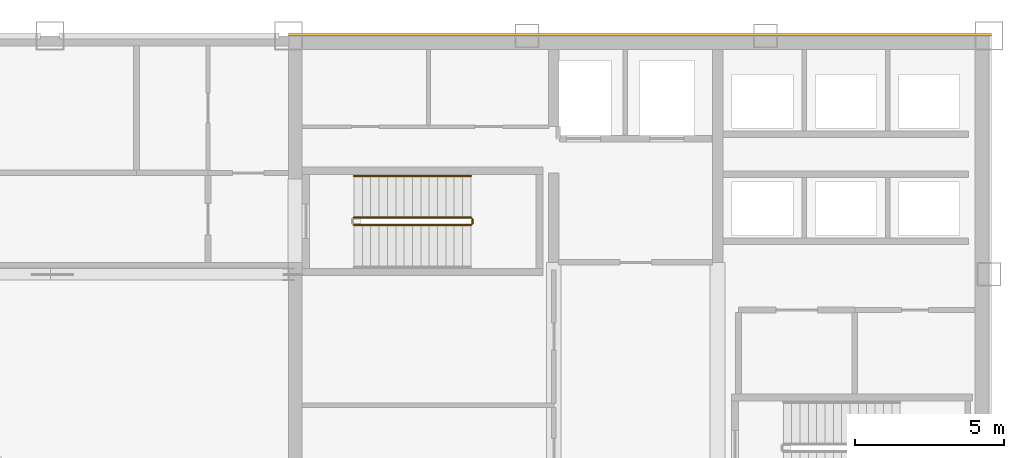
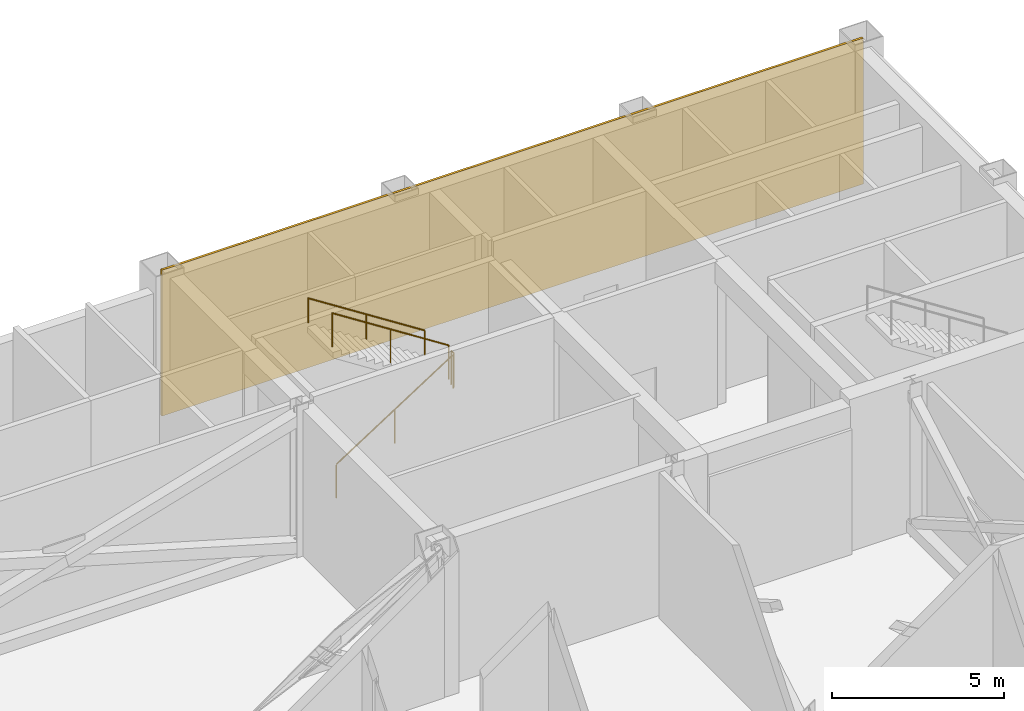
# One storey, part 23 of 23: 4 railings, 1 covering.
"""IFC4 building model written with IfcOpenShell, lengths in metres."""

from ifc_helpers import new_model, si_unit, direction, frame, origin, origin_2d, place, context, subcontext, project, spatial, rectangle, circle, extrude, material, layer, layer_set, type_object, element, save


model = new_model("IFC4")

# Units and contexts
model_context = context("Model", 3, precision=1e-05, world=origin(), true_north=direction((0.0, 1.0)))
body_context = subcontext(model_context, "Body", "Model", "MODEL_VIEW")
ifc_project = project(units=[si_unit("LENGTHUNIT", "METRE"), si_unit("AREAUNIT", "SQUARE_METRE"), si_unit("VOLUMEUNIT", "CUBIC_METRE"), si_unit("PLANEANGLEUNIT", "RADIAN"), si_unit("MASSUNIT", "GRAM", prefix="KILO")], contexts=[model_context])

# Site, building, storey
site_placement = place(None, origin())
site = spatial("IfcSite", under=ifc_project, at=site_placement, CompositionType="ELEMENT")
building_placement = place(site_placement, origin())
building = spatial("IfcBuilding", under=site, at=building_placement, Name="Qianrong Seaharbour Tower", CompositionType="ELEMENT")
storey_placement = place(building_placement, frame((0.0, 0.0, 281.800048828125)))
storey = spatial("IfcBuildingStorey", under=building, at=storey_placement, Name="L68", CompositionType="ELEMENT", Elevation=281.800048828125)

# Covering
ifc_material_1 = material(Name="Unitised red brick cladding on Precast concrete C45/55", Category="masonry")
ifc_layer = layer(ifc_material_1, 0.080078125)
ifc_layer_set = layer_set([ifc_layer], Name="Unitised red brick cladding on Precast concrete C45/55")
covering_type = type_object("IfcCoveringType", Name="COV-CLAD-RED-BRICK-80", PredefinedType="CLADDING", material=ifc_layer_set)
covering_placement = place(storey_placement, frame((52.2900390625, 52.0400390625, 0.0), z_axis=(0.0, 0.0, 1.0), x_axis=(1.0, 0.0, 0.0)))
element("IfcCovering", 1, at=covering_placement, inside=storey, type_object=covering_type, Name="L68 North Core Brick Veneer Cladding", PredefinedType="CLADDING", context=body_context, shape_type="SweptSolid", body=[
    extrude(rectangle(XDim=23.580078125, YDim=0.080078125, at=origin_2d()), origin(), (0.0, 0.0, 1.0), 5.18505859375),
])

# Railings
ifc_material_2 = material(Name="Galvanized painted steel SN400B stair guard", Category="steel")
railing_type_1 = type_object("IfcRailingType", Name="RAIL-STAIR-GUARD-1220", PredefinedType="GUARDRAIL", material=ifc_material_2)
railing_1_placement = place(storey_placement, frame((42.699951171875, 45.64990234375, 0.179931640625)))
element("IfcRailing", 2, at=railing_1_placement, inside=storey, type_object=railing_type_1, Name="L68 ST-1 stair guard 1", PredefinedType="GUARDRAIL", context=body_context, shape_type="SweptSolid", body=[
    extrude(circle(Radius=0.02392578125, at=origin_2d()), frame((0.0, 0.0, 1.19580078125), z_axis=(0.841186985886, 0.0, 0.540744352514), x_axis=(0.0, 1.0, 0.0)), (0.0, 0.0, 1.0), 4.660400390625),
    extrude(circle(Radius=0.02099609375, at=origin_2d()), origin(), (0.0, 0.0, 1.0), 1.171875),
    extrude(circle(Radius=0.02099609375, at=origin_2d()), frame((1.9599609375, 0.0, 1.260009765625)), (0.0, 0.0, 1.0), 1.171875),
    extrude(circle(Radius=0.02099609375, at=origin_2d()), frame((3.920166015625, 0.0, 2.52001953125)), (0.0, 0.0, 1.0), 1.171875),
])
railing_2_placement = place(storey_placement, frame((46.669921875, 45.699951171875, 2.699951171875)))
element("IfcRailing", 3, at=railing_2_placement, inside=storey, type_object=railing_type_1, Name="L68 ST-1 stair guard 2", PredefinedType="GUARDRAIL", context=body_context, shape_type="SweptSolid", body=[
    extrude(circle(Radius=0.02392578125, at=origin_2d()), frame((0.0, 0.0, 1.19580078125), z_axis=(0.0, 1.0, 0.0), x_axis=(-1.0, 0.0, 0.0)), (0.0, 0.0, 1.0), 0.150146484375),
    extrude(circle(Radius=0.02099609375, at=origin_2d()), origin(), (0.0, 0.0, 1.0), 1.171875),
    extrude(circle(Radius=0.02099609375, at=origin_2d()), frame((0.0, 0.150146484375, 0.0)), (0.0, 0.0, 1.0), 1.171875),
])
railing_3_placement = place(storey_placement, frame((46.6201171875, 45.89990234375, 2.8798828125)))
element("IfcRailing", 4, at=railing_3_placement, inside=storey, type_object=railing_type_1, Name="L68 ST-1 stair guard 3", PredefinedType="GUARDRAIL", context=body_context, shape_type="SweptSolid", body=[
    extrude(circle(Radius=0.02392578125, at=origin_2d()), frame((0.0, 0.0, 1.19580078125), z_axis=(-0.841186985886, 0.0, 0.540744352514), x_axis=(0.0, -1.0, 0.0)), (0.0, 0.0, 1.0), 4.660400390625),
    extrude(circle(Radius=0.02099609375, at=origin_2d()), origin(), (0.0, 0.0, 1.0), 1.171875),
    extrude(circle(Radius=0.02099609375, at=origin_2d()), frame((-1.9599609375, 0.0, 1.260009765625)), (0.0, 0.0, 1.0), 1.171875),
    extrude(circle(Radius=0.02099609375, at=origin_2d()), frame((-3.920166015625, 0.0, 2.52001953125)), (0.0, 0.0, 1.0), 1.171875),
])
ifc_material_3 = material(Name="Stainless steel SUS316L continuous handrail", Category="steel")
railing_type_2 = type_object("IfcRailingType", Name="RAIL-STAIR-HANDRAIL-900", PredefinedType="HANDRAIL", material=ifc_material_3)
railing_4_placement = place(storey_placement, frame((46.6201171875, 47.300048828125, 2.8798828125)))
element("IfcRailing", 5, at=railing_4_placement, inside=storey, type_object=railing_type_2, Name="L68 ST-1 stair handrail 2", PredefinedType="HANDRAIL", context=body_context, shape_type="SweptSolid", body=[
    extrude(circle(Radius=0.02392578125, at=origin_2d()), frame((0.0, 0.0, 0.8759765625), z_axis=(-0.841186985886, 0.0, 0.540744352514), x_axis=(0.0, -1.0, 0.0)), (0.0, 0.0, 1.0), 4.660400390625),
    extrude(circle(Radius=0.02099609375, at=origin_2d()), origin(), (0.0, 0.0, 1.0), 0.851806640625),
    extrude(circle(Radius=0.02099609375, at=origin_2d()), frame((-1.9599609375, 0.0, 1.260009765625)), (0.0, 0.0, 1.0), 0.851806640625),
    extrude(circle(Radius=0.02099609375, at=origin_2d()), frame((-3.920166015625, 0.0, 2.52001953125)), (0.0, 0.0, 1.0), 0.851806640625),
])

save(model, "model.ifc")
